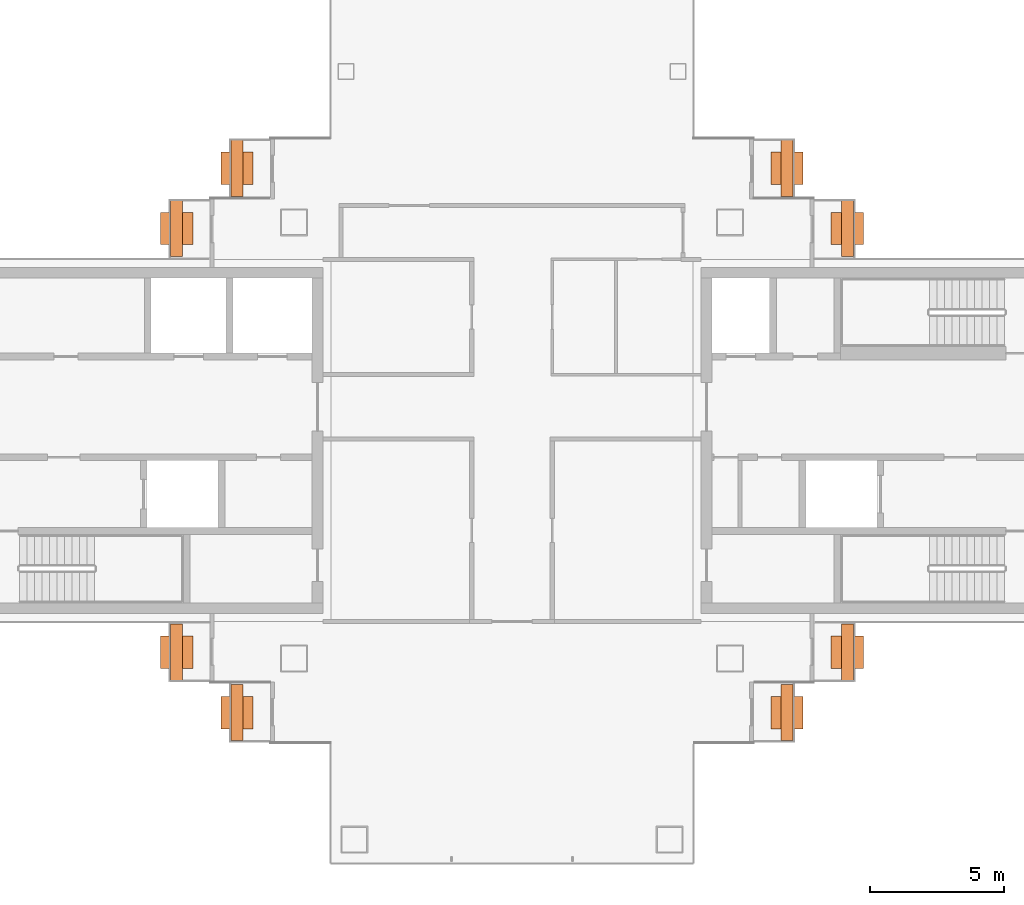
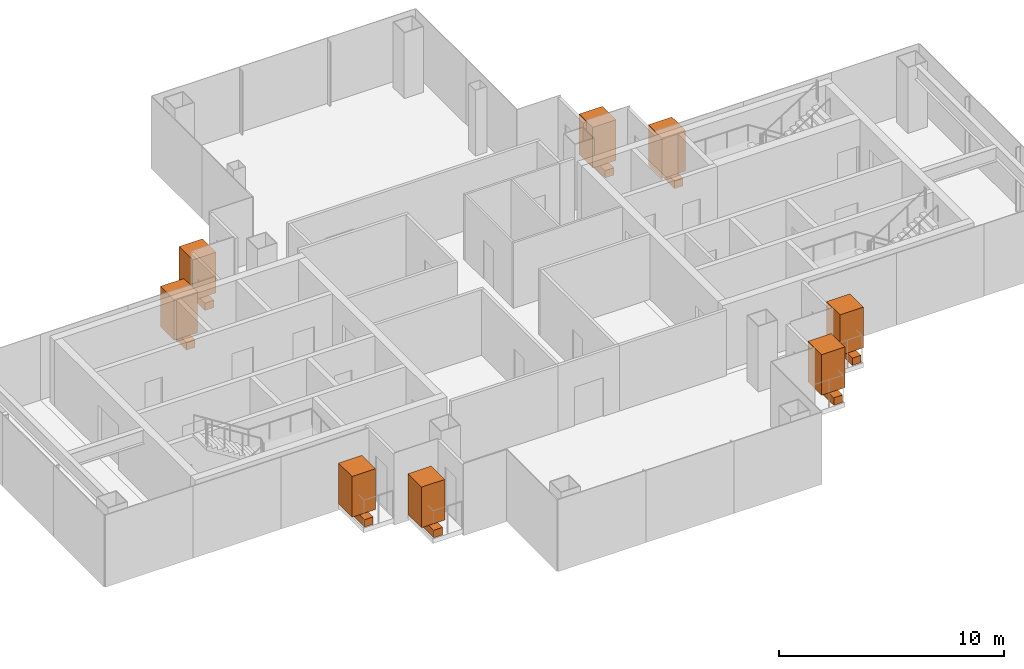
# One storey, part 16 of 16: 8 geographic elements, 8 proxies.
"""IFC4 building model written with IfcOpenShell, lengths in metres."""

from ifc_helpers import new_model, si_unit, direction, frame, origin, origin_2d, place, context, subcontext, project, spatial, rectangle, extrude, material, type_object, element, save


model = new_model("IFC4")

# Units and contexts
model_context = context("Model", 3, precision=1e-05, world=origin(), true_north=direction((0.0, 1.0)))
body_context = subcontext(model_context, "Body", "Model", "MODEL_VIEW")
ifc_project = project(units=[si_unit("LENGTHUNIT", "METRE"), si_unit("AREAUNIT", "SQUARE_METRE"), si_unit("VOLUMEUNIT", "CUBIC_METRE"), si_unit("PLANEANGLEUNIT", "RADIAN"), si_unit("MASSUNIT", "GRAM", prefix="KILO")], contexts=[model_context])

# Site, building, storey
site_placement = place(None, origin())
site = spatial("IfcSite", under=ifc_project, at=site_placement, CompositionType="ELEMENT")
building_placement = place(site_placement, origin())
building = spatial("IfcBuilding", under=site, at=building_placement, Name="Shamsa Quay Exchange Towers", CompositionType="ELEMENT")
storey_placement = place(building_placement, frame((0.0, 0.0, 213.89990234375)))
storey = spatial("IfcBuildingStorey", under=building, at=storey_placement, Name="L51", CompositionType="ELEMENT", Elevation=213.89990234375)

# Proxies
ifc_material_1 = material(Name="Reinforced concrete C30/37, black glass-fibre faced", Category="concrete")
building_element_proxy_type = type_object("IfcBuildingElementProxyType", Name="BALCONY PLANTER", PredefinedType="USERDEFINED", material=ifc_material_1)
for number, where, z_axis, x_axis, name in (
    (1, (23.5048828125, 10.14404296875, 0.000244140625), (0.0, 0.0, 1.0), (0.0, -1.0, 0.0), "PLANTER T2-PKEN L51"),
    (2, (21.2548828125, 7.89404296875, 0.000244140625), (0.0, 0.0, 1.0), (0.0, -1.0, 0.0), "PLANTER T2-PKEN L51"),
    (3, (43.9951171875, 10.14404296875, 0.000244140625), (0.0, 0.0, 1.0), (0.0, 1.0, 0.0), "PLANTER T2-PKES L51"),
    (4, (46.2451171875, 7.89404296875, 0.000244140625), (0.0, 0.0, 1.0), (0.0, 1.0, 0.0), "PLANTER T2-PKES L51"),
    (5, (21.2548828125, -7.89404296875, 0.000244140625), (0.0, 0.0, 1.0), (0.0, -1.0, 0.0), "PLANTER T2-PKWN L51"),
    (6, (23.5048828125, -10.14404296875, 0.000244140625), (0.0, 0.0, 1.0), (0.0, -1.0, 0.0), "PLANTER T2-PKWN L51"),
    (7, (43.9951171875, -10.14404296875, 0.000244140625), (0.0, 0.0, 1.0), (0.0, 1.0, 0.0), "PLANTER T2-PKWS L51"),
    (8, (46.2451171875, -7.89404296875, 0.000244140625), (0.0, 0.0, 1.0), (0.0, 1.0, 0.0), "PLANTER T2-PKWS L51"),
):
    element("IfcBuildingElementProxy", number, at=place(storey_placement, frame(where, z_axis=z_axis, x_axis=x_axis)), inside=storey, type_object=building_element_proxy_type, Name=name, ObjectType="PLANTER", PredefinedType="USERDEFINED", context=body_context, shape_type="SweptSolid", body=[
        extrude(rectangle(XDim=2.092041015625, YDim=0.449951171875, at=origin_2d()), origin(), (0.0, 0.0, 1.0), 0.39990234375),
    ])

# Geographic elements
ifc_material_2 = material(Name="Planting")
geographic_element_type = type_object("IfcGeographicElementType", Name="BALCONY TREE", PredefinedType="USERDEFINED", material=ifc_material_2)
for number, where, z_axis, x_axis, name in (
    (9, (23.5048828125, 10.14404296875, 0.39990234375), (0.0, 0.0, 1.0), (0.0, -1.0, 0.0), "TREE T2-PKEN L51"),
    (10, (21.2548828125, 7.89404296875, 0.39990234375), (0.0, 0.0, 1.0), (0.0, -1.0, 0.0), "TREE T2-PKEN L51"),
    (11, (43.9951171875, 10.14404296875, 0.39990234375), (0.0, 0.0, 1.0), (0.0, 1.0, 0.0), "TREE T2-PKES L51"),
    (12, (46.2451171875, 7.89404296875, 0.39990234375), (0.0, 0.0, 1.0), (0.0, 1.0, 0.0), "TREE T2-PKES L51"),
    (13, (21.2548828125, -7.89404296875, 0.39990234375), (0.0, 0.0, 1.0), (0.0, -1.0, 0.0), "TREE T2-PKWN L51"),
    (14, (23.5048828125, -10.14404296875, 0.39990234375), (0.0, 0.0, 1.0), (0.0, -1.0, 0.0), "TREE T2-PKWN L51"),
    (15, (43.9951171875, -10.14404296875, 0.39990234375), (0.0, 0.0, 1.0), (0.0, 1.0, 0.0), "TREE T2-PKWS L51"),
    (16, (46.2451171875, -7.89404296875, 0.39990234375), (0.0, 0.0, 1.0), (0.0, 1.0, 0.0), "TREE T2-PKWS L51"),
):
    element("IfcGeographicElement", number, at=place(storey_placement, frame(where, z_axis=z_axis, x_axis=x_axis)), inside=storey, type_object=geographic_element_type, Name=name, ObjectType="TREE", PredefinedType="USERDEFINED", context=body_context, shape_type="SweptSolid", body=[
        extrude(rectangle(XDim=1.199951171875, YDim=1.199951171875, at=origin_2d()), origin(), (0.0, 0.0, 1.0), 2.199951171875),
    ])

save(model, "model.ifc")
